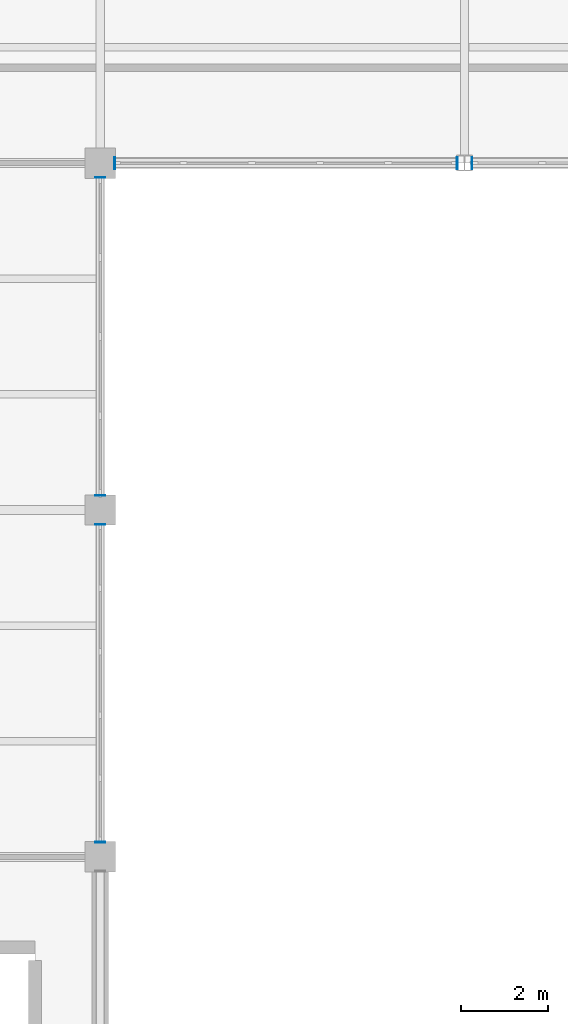
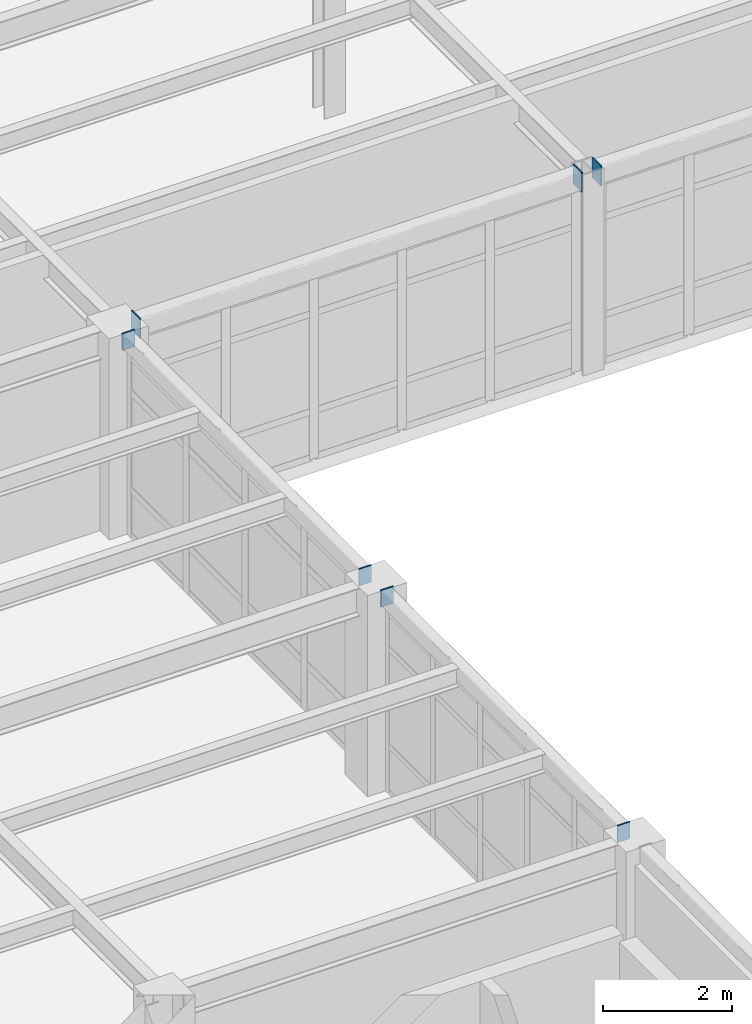
# One storey, part 116 of 138: 7 discrete accessories.
"""IFC4 building model written with IfcOpenShell, lengths in metres."""

import ifcopenshell
import ifcopenshell.guid

model = None  # the IFC model being written
_history = None  # IfcOwnerHistory: only IFC2X3 demands one
_inside = {}  # id of a spatial element -> (the spatial element, [elements in it])
_under = {}  # id of a project, library or spatial element -> (it, [spatial elements below it])
_declared = {}  # id of a project -> (the project, [libraries it declares])
_typed = {}  # id of a type object -> (the type object, [elements of that type])
_made_of = {}  # id of a material, layer set ... -> (it, [elements and type objects made of it])


def new_model(schema):
    """Start an empty IFC model of exactly this schema.

    Asked for "IFC4X3", IfcOpenShell would pick the latest addendum, in which some entities
    have other attributes; the version numbers below select the first issue.
    IFC2X3 requires an IfcOwnerHistory on every rooted entity: one is made here for all.
    """
    global model, _history
    if schema == "IFC4X3":
        model = ifcopenshell.file(schema_version=(4, 3, 0, 0))
    else:
        model = ifcopenshell.file(schema=schema)
    _inside.clear()
    _under.clear()
    _declared.clear()
    _typed.clear()
    _made_of.clear()
    _history = None
    if model.schema == "IFC2X3":
        org = make("IfcOrganization", Name="unknown")
        user = make(
            "IfcPersonAndOrganization",
            ThePerson=make("IfcPerson", FamilyName="unknown"),
            TheOrganization=org,
        )
        app = make(
            "IfcApplication",
            ApplicationDeveloper=org,
            Version="unknown",
            ApplicationFullName="unknown",
            ApplicationIdentifier="unknown",
        )
        _history = make(
            "IfcOwnerHistory",
            OwningUser=user,
            OwningApplication=app,
            ChangeAction="ADDED",
            CreationDate=0,
        )
    return model


def make(cls, **values):
    """One entity of the class cls with the attributes given. An attribute that is None is left unset."""
    return model.create_entity(
        cls, **{name: value for name, value in values.items() if value is not None}
    )


def rooted(cls, **values):
    """An entity with a GlobalId (a new one), such as an element, a storey or a relation."""
    return make(cls, GlobalId=ifcopenshell.guid.new(), OwnerHistory=_history, **values)


def si_unit(unit_type, name, prefix=None):
    """IfcSIUnit, for example si_unit("LENGTHUNIT", "METRE", prefix="MILLI")."""
    return make("IfcSIUnit", UnitType=unit_type, Prefix=prefix, Name=name)


def assignment(units):
    """IfcUnitAssignment: the units of a project."""
    return None if units is None else make("IfcUnitAssignment", Units=units)


def point(xyz):
    """IfcCartesianPoint."""
    return None if xyz is None else make("IfcCartesianPoint", Coordinates=xyz)


def direction(xyz):
    """IfcDirection."""
    return None if xyz is None else make("IfcDirection", DirectionRatios=xyz)


def frame(location, z_axis=None, x_axis=None):
    """IfcAxis2Placement3D, a coordinate frame: its origin and axes. An axis left out is left unset."""
    return make(
        "IfcAxis2Placement3D",
        Location=point(location),
        Axis=direction(z_axis),
        RefDirection=direction(x_axis),
    )


def frame_2d(location, x_axis=None):
    """IfcAxis2Placement2D, a coordinate frame in the plane: its origin and x axis."""
    return make(
        "IfcAxis2Placement2D", Location=point(location), RefDirection=direction(x_axis)
    )


def origin():
    """The frame at (0, 0, 0) with its axes left unset."""
    return frame((0.0, 0.0, 0.0))


def origin_2d():
    """The frame at (0, 0) in the plane with its x axis left unset."""
    return frame_2d((0.0, 0.0))


def place(relative_to, where):
    """IfcLocalPlacement: puts the frame where relative to a parent placement (None: the world)."""
    return make(
        "IfcLocalPlacement", PlacementRelTo=relative_to, RelativePlacement=where
    )


def context(
    kind, dimensions, precision=None, world=None, true_north=None, identifier=None
):
    """IfcGeometricRepresentationContext, for example the 3D "Model" context."""
    return make(
        "IfcGeometricRepresentationContext",
        ContextIdentifier=identifier,
        ContextType=kind,
        CoordinateSpaceDimension=dimensions,
        Precision=precision,
        WorldCoordinateSystem=world,
        TrueNorth=true_north,
    )


def subcontext(parent, identifier, kind, view, scale=None):
    """IfcGeometricRepresentationSubContext, for example "Body" below "Model"."""
    return make(
        "IfcGeometricRepresentationSubContext",
        ContextIdentifier=identifier,
        ContextType=kind,
        ParentContext=parent,
        TargetScale=scale,
        TargetView=view,
    )


def project(units=None, contexts=None):
    """IfcProject with its units and contexts."""
    return rooted(
        "IfcProject",
        Name="project",
        RepresentationContexts=contexts,
        UnitsInContext=assignment(units),
    )


def spatial(cls, under=None, at=None, **own):
    """A site, building, storey or space (cls), placed at a placement, below another one or the project."""
    s = rooted(cls, ObjectPlacement=at, **own)
    if under is not None:
        _under.setdefault(under.id(), (under, []))[1].append(s)
    return s


def profile(cls, at=None, kind="AREA", **sizes):
    """A parametric profile (cls). Its sizes go by their IFC names, for example OverallWidth=200.0."""
    return make(cls, ProfileType=kind, Position=at, **sizes)


def rectangle(**sizes):
    """IfcRectangleProfileDef."""
    return profile("IfcRectangleProfileDef", **sizes)


def extrude(swept, where, along, depth):
    """IfcExtrudedAreaSolid: the profile swept, set in the frame where, extruded along a direction by depth."""
    return make(
        "IfcExtrudedAreaSolid",
        SweptArea=swept,
        Position=where,
        ExtrudedDirection=direction(along),
        Depth=depth,
    )


def shape(context_of_items, identifier, shape_type, items):
    """IfcShapeRepresentation: the items that make up one representation, for example the "Body"."""
    return make(
        "IfcShapeRepresentation",
        ContextOfItems=context_of_items,
        RepresentationIdentifier=identifier,
        RepresentationType=shape_type,
        Items=items,
    )


def material(Name=None, Category=None):
    """IfcMaterial."""
    return make("IfcMaterial", Name=Name, Category=Category)


def layer(
    of_material, thickness, ventilated=None, Name=None, Category=None, Priority=None
):
    """IfcMaterialLayer: one layer of a wall or slab, of a material (None: an air gap)."""
    return make(
        "IfcMaterialLayer",
        Material=of_material,
        LayerThickness=thickness,
        IsVentilated=ventilated,
        Name=Name,
        Category=Category,
        Priority=Priority,
    )


def layer_set(layers, Name=None):
    """IfcMaterialLayerSet."""
    return make("IfcMaterialLayerSet", MaterialLayers=layers, LayerSetName=Name)


def made_of(thing, what):
    """Note that an element or type object is made of a material, layer set ...; save() writes the relation."""
    if what is not None:
        _made_of.setdefault(what.id(), (what, []))[1].append(thing)
    return thing


def type_object(cls, material=None, **own):
    """A type object (cls), such as IfcWallType, which elements share."""
    return made_of(rooted(cls, **own), material)


def element(
    cls,
    number,
    at=None,
    inside=None,
    cuts=None,
    type_object=None,
    material=None,
    context=None,
    identifier="Body",
    shape_type=None,
    held_by="IfcProductDefinitionShape",
    body=None,
    shapes=None,
    **own,
):
    """One element of the class cls, such as IfcWall. Its Tag is "e" and its number.

    at: its placement. inside: the storey or other place that contains it. cuts: it is an
    opening in that element (IfcRelVoidsElement). A single representation is given by context,
    identifier, shape_type and body (its items); several are given by shapes. held_by: the class
    of the entity that holds the representations. save() writes the other relations.
    """
    e = rooted(cls, Tag="e%d" % number, ObjectPlacement=at, **own)
    if body is not None:
        shapes = [shape(context, identifier, shape_type, body)]
    if shapes is not None:
        e.Representation = make(held_by, Representations=shapes)
    if inside is not None:
        _inside.setdefault(inside.id(), (inside, []))[1].append(e)
    if cuts is not None:
        rooted(
            "IfcRelVoidsElement", RelatingBuildingElement=cuts, RelatedOpeningElement=e
        )
    if type_object is not None:
        _typed.setdefault(type_object.id(), (type_object, []))[1].append(e)
    return made_of(e, material)


def aggregate(whole, parts):
    """IfcRelAggregates: a whole, such as a stair, and the parts it consists of."""
    return rooted("IfcRelAggregates", RelatingObject=whole, RelatedObjects=parts)


def save(model, path):
    """Write the relations noted so far, then the file.

    IfcRelAggregates (storeys below a building ...), IfcRelContainedInSpatialStructure (elements
    in a storey), IfcRelDefinesByType, IfcRelAssociatesMaterial and IfcRelDeclares: one each for
    every whole, place, type object, material and project.
    """
    for whole, parts in _under.values():
        aggregate(whole, parts)
    for where, things in _inside.values():
        rooted(
            "IfcRelContainedInSpatialStructure",
            RelatedElements=things,
            RelatingStructure=where,
        )
    for kind, things in _typed.values():
        rooted("IfcRelDefinesByType", RelatedObjects=things, RelatingType=kind)
    for what, things in _made_of.values():
        rooted("IfcRelAssociatesMaterial", RelatedObjects=things, RelatingMaterial=what)
    for by, libraries in _declared.values():
        rooted("IfcRelDeclares", RelatingContext=by, RelatedDefinitions=libraries)
    model.write(path)


model = new_model("IFC4")

# Units and contexts
model_context = context("Model", 3, precision=1e-05, world=origin(), true_north=direction((0.0, 1.0)))
body_context = subcontext(model_context, "Body", "Model", "MODEL_VIEW")
ifc_project = project(units=[si_unit("LENGTHUNIT", "METRE"), si_unit("AREAUNIT", "SQUARE_METRE"), si_unit("VOLUMEUNIT", "CUBIC_METRE"), si_unit("PLANEANGLEUNIT", "RADIAN"), si_unit("MASSUNIT", "GRAM", prefix="KILO")], contexts=[model_context])

# Site, building, storey
site_placement = place(None, origin())
site = spatial("IfcSite", under=ifc_project, at=site_placement, CompositionType="ELEMENT")
building_placement = place(site_placement, origin())
building = spatial("IfcBuilding", under=site, at=building_placement, Name="Kranzveld Transit Interchange", CompositionType="ELEMENT")
storey_placement = place(building_placement, frame((0.0, 0.0, 5.43994140625)))
storey = spatial("IfcBuildingStorey", under=building, at=storey_placement, Name="L01", CompositionType="ELEMENT", Elevation=5.43994140625)

# Discrete accessories
ifc_material = material(Name="Steel S355JR", Category="steel")
ifc_layer = layer(ifc_material, 0.02001953125)
ifc_layer_set = layer_set([ifc_layer], Name="Steel S355JR")
discrete_accessory_type = type_object("IfcDiscreteAccessoryType", Name="Hollow Section End Cap Bracket 20 S355JR", PredefinedType="BRACKET", material=ifc_layer_set)
for number, where, z_axis, x_axis, name in (
    (1, (117.944091796875, 96.0, 3.625), (-1.0, 0.0, 0.0), (0.0, -1.0, 0.0), "Hollow Section End Cap SP-RHS350-1"),
    (2, (125.818603515625, 96.0, 3.625), (1.0, 0.0, 0.0), (0.0, 1.0, 0.0), "Hollow Section End Cap SP-RHS350-2"),
    (3, (126.181396484375, 96.0, 3.625), (-1.0, 0.0, 0.0), (0.0, -1.0, 0.0), "Hollow Section End Cap SP-RHS350-1"),
):
    element("IfcDiscreteAccessory", number, at=place(storey_placement, frame(where, z_axis=z_axis, x_axis=x_axis)), inside=storey, type_object=discrete_accessory_type, Name=name, PredefinedType="BRACKET", context=body_context, shape_type="SweptSolid", body=[
        extrude(rectangle(XDim=0.27392578125, YDim=0.3740234375, at=origin_2d()), origin(), (0.0, 0.0, 1.0), 0.02001953125),
    ])
for number, where, z_axis, x_axis, name in (
    (4, (117.60009765625, 80.343994140625, 3.650146484375), (0.0, -1.0, 0.0), (1.0, 0.0, 0.0), "Hollow Section End Cap SP-RHS300-1"),
    (5, (117.60009765625, 87.656005859375, 3.650146484375), (0.0, 1.0, 0.0), (-1.0, 0.0, 0.0), "Hollow Section End Cap SP-RHS300-2"),
    (6, (117.60009765625, 88.343994140625, 3.650146484375), (0.0, -1.0, 0.0), (1.0, 0.0, 0.0), "Hollow Section End Cap SP-RHS300-1"),
    (7, (117.60009765625, 95.656005859375, 3.650146484375), (0.0, 1.0, 0.0), (-1.0, 0.0, 0.0), "Hollow Section End Cap SP-RHS300-2"),
):
    element("IfcDiscreteAccessory", number, at=place(storey_placement, frame(where, z_axis=z_axis, x_axis=x_axis)), inside=storey, type_object=discrete_accessory_type, Name=name, PredefinedType="BRACKET", context=body_context, shape_type="SweptSolid", body=[
        extrude(rectangle(XDim=0.22412109375, YDim=0.323974609375, at=origin_2d()), origin(), (0.0, 0.0, 1.0), 0.02001953125),
    ])

save(model, "model.ifc")
